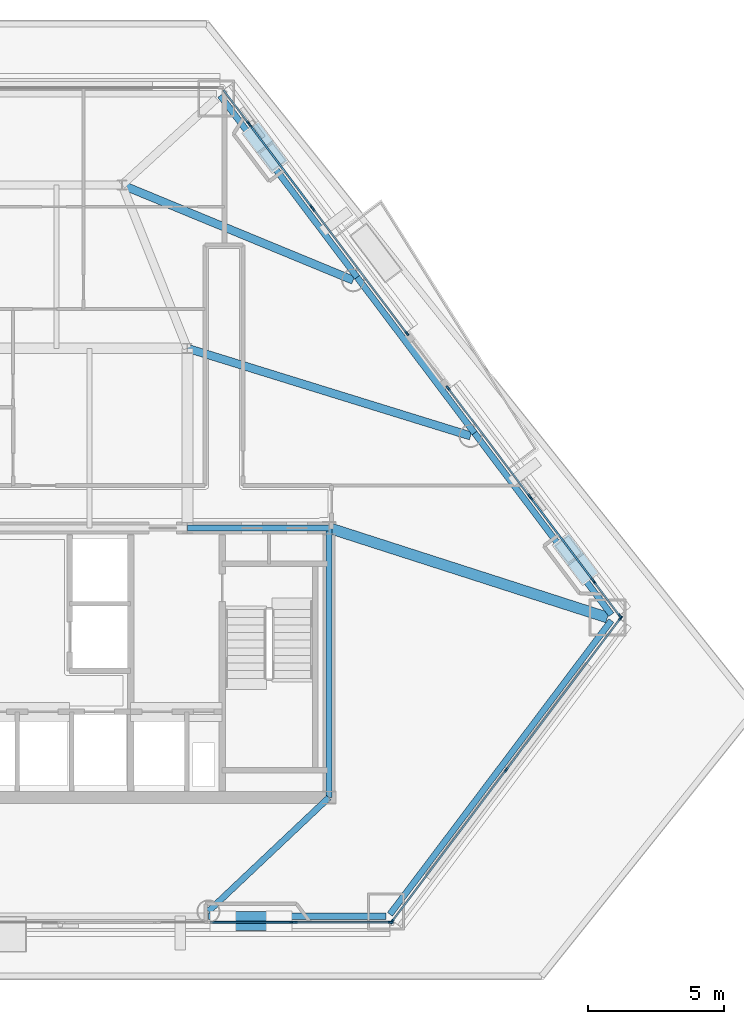
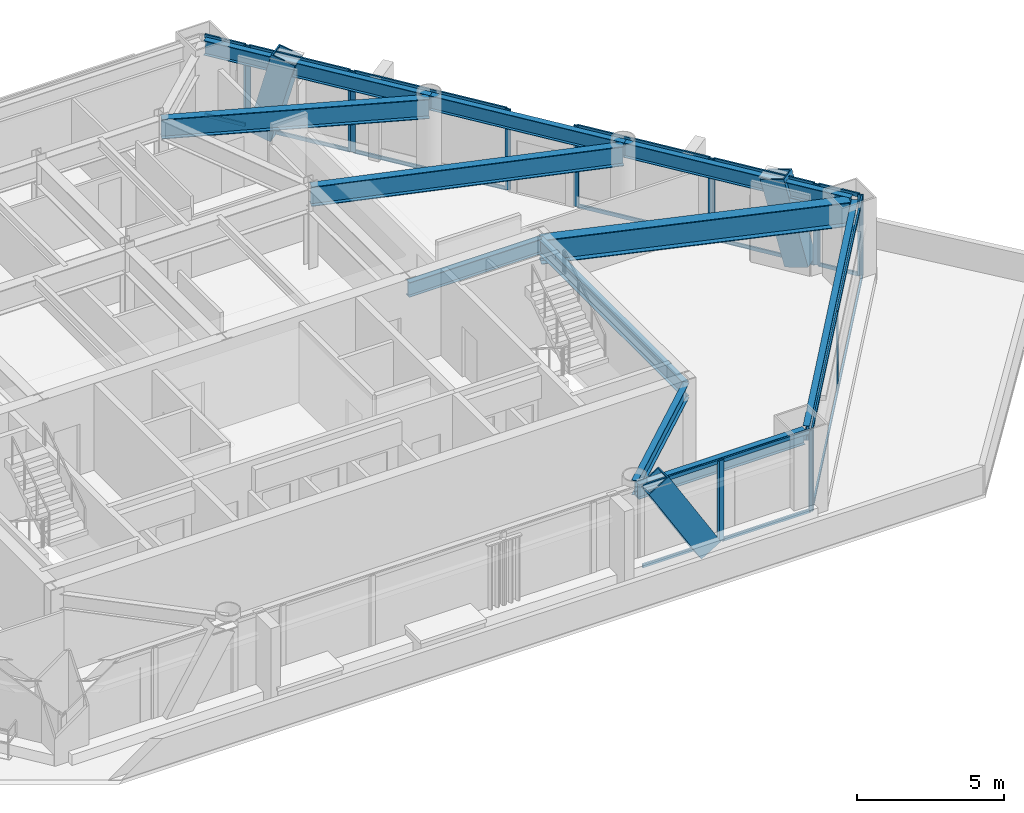
# One storey, part 4 of 13: 40 members, 11 beams, 9 elements without a shape of their own.
"""IFC4 building model written with IfcOpenShell, lengths in metres."""

from ifc_helpers import new_model, si_unit, direction, frame, origin, origin_2d, place, context, subcontext, project, spatial, rectangle, hollow_rectangle, i_section, extrude, material, layer, layer_set, material_profile, profile_set, type_object, element, aggregate, save


model = new_model("IFC4")

# Units and contexts
model_context = context("Model", 3, precision=1e-05, world=origin(), true_north=direction((0.0, 1.0)))
body_context = subcontext(model_context, "Body", "Model", "MODEL_VIEW")
ifc_project = project(units=[si_unit("LENGTHUNIT", "METRE"), si_unit("AREAUNIT", "SQUARE_METRE"), si_unit("VOLUMEUNIT", "CUBIC_METRE"), si_unit("PLANEANGLEUNIT", "RADIAN"), si_unit("MASSUNIT", "GRAM", prefix="KILO")], contexts=[model_context])

# Site, building, storey
site_placement = place(None, origin())
site = spatial("IfcSite", under=ifc_project, at=site_placement, CompositionType="ELEMENT")
building_placement = place(site_placement, origin())
building = spatial("IfcBuilding", under=site, at=building_placement, Name="Talgorran Terracotta Tower", CompositionType="ELEMENT")
storey_placement = place(building_placement, frame((0.0, 0.0, 24.300048828125)))
storey = spatial("IfcBuildingStorey", under=building, at=storey_placement, Name="L05", CompositionType="ELEMENT", Elevation=24.300048828125)

# Beams
ifc_material_1 = material(Name="Steel Grade 350 (350L0)", Category="steel")
ifc_material_profile_1 = material_profile(ifc_material_1, i_section(OverallWidth=0.39990234375, OverallDepth=1.0, WebThickness=0.01611328125, FlangeThickness=0.031005859375, at=origin_2d()), Name="1000WB296")
ifc_profile_set_1 = profile_set([ifc_material_profile_1], Name="Steel Grade 350 (350L0)")
beam_type_1 = type_object("IfcBeamType", Name="BM_1000WB296", PredefinedType="BEAM", material=ifc_profile_set_1)
beam_1_placement = place(storey_placement, frame((12.39990234375, -4.199951171875, 2.849853515625), z_axis=(0.951935828117, -0.306297533694, 0.0), x_axis=(0.306297533694, 0.951935828117, 0.0)))
element("IfcBeam", 1, at=beam_1_placement, inside=storey, type_object=beam_type_1, Name="L05 Floor Girder G18", PredefinedType="BEAM", context=body_context, shape_type="SweptSolid", body=[
    extrude(i_section(OverallWidth=0.39990234375, OverallDepth=1.0, WebThickness=0.01611328125, FlangeThickness=0.031005859375, at=origin_2d()), origin(), (0.0, 0.0, 1.0), 10.742919921875),
])
ifc_material_2 = material(Name="Steel S355 (300PLUS)", Category="steel")
ifc_material_profile_2 = material_profile(ifc_material_2, i_section(OverallWidth=0.300048828125, OverallDepth=0.81591796875, WebThickness=0.013916015625, FlangeThickness=0.028076171875, at=origin_2d()), Name="800WB192")
ifc_profile_set_2 = profile_set([ifc_material_profile_2], Name="Steel S355 (300PLUS)")
beam_type_2 = type_object("IfcBeamType", Name="BM_800WB192", PredefinedType="BEAM", material=ifc_profile_set_2)
beam_2_placement = place(storey_placement, frame((7.199951171875, 2.39990234375, 2.94189453125), z_axis=(0.955282572472, -0.295694448259, 0.0), x_axis=(0.295694448259, 0.955282572472, 0.0)))
element("IfcBeam", 2, at=beam_2_placement, inside=storey, type_object=beam_type_2, Name="L05 Floor Girder G07", PredefinedType="BEAM", context=body_context, shape_type="SweptSolid", body=[
    extrude(i_section(OverallWidth=0.300048828125, OverallDepth=0.81591796875, WebThickness=0.013916015625, FlangeThickness=0.028076171875, at=origin_2d()), origin(), (0.0, 0.0, 1.0), 10.88623046875),
])
beam_3_placement = place(storey_placement, frame((4.800048828125, 8.39990234375, 2.94189453125), z_axis=(0.924495756371, -0.381192335249, 0.0), x_axis=(0.381192335249, 0.924495756371, 0.0)))
element("IfcBeam", 3, at=beam_3_placement, inside=storey, type_object=beam_type_2, Name="L05 Floor Girder G14", PredefinedType="BEAM", context=body_context, shape_type="SweptSolid", body=[
    extrude(i_section(OverallWidth=0.300048828125, OverallDepth=0.81591796875, WebThickness=0.013916015625, FlangeThickness=0.028076171875, at=origin_2d()), origin(), (0.0, 0.0, 1.0), 9.18359375),
])
ifc_material_profile_3 = material_profile(ifc_material_2, i_section(OverallWidth=0.22900390625, OverallDepth=0.611572265625, WebThickness=0.011962890625, FlangeThickness=0.01953125, at=origin_2d()), Name="610UB125")
ifc_profile_set_3 = profile_set([ifc_material_profile_3], Name="Steel S355 (300PLUS)")
beam_type_3 = type_object("IfcBeamType", Name="BM_SP_610UB125", PredefinedType="SPANDREL", material=ifc_profile_set_3)
beam_4_placement = place(storey_placement, frame((7.97265625, -18.4599609375, 3.044189453125), z_axis=(1.0, 0.0, 0.0), x_axis=(0.0, 1.0, 0.0)))
element("IfcBeam", 4, at=beam_4_placement, inside=storey, type_object=beam_type_3, Name="L05 Perimeter Spandrel Beam FC2-MC3", PredefinedType="SPANDREL", context=body_context, shape_type="SweptSolid", body=[
    extrude(i_section(OverallWidth=0.22900390625, OverallDepth=0.611572265625, WebThickness=0.011962890625, FlangeThickness=0.01953125, at=origin_2d()), origin(), (0.0, 0.0, 1.0), 6.523193359375),
])
beam_5_placement = place(storey_placement, frame((14.6396484375, -18.38818359375, 3.044189453125), z_axis=(0.601820005964, 0.798631755205, 0.0), x_axis=(-0.798631755205, 0.601820005964, 0.0)))
element("IfcBeam", 5, at=beam_5_placement, inside=storey, type_object=beam_type_3, Name="L05 Perimeter Spandrel Beam MC3-MC4", PredefinedType="SPANDREL", context=body_context, shape_type="SweptSolid", body=[
    extrude(i_section(OverallWidth=0.22900390625, OverallDepth=0.611572265625, WebThickness=0.011962890625, FlangeThickness=0.01953125, at=origin_2d()), origin(), (0.0, 0.0, 1.0), 13.510009765625),
])
beam_6_placement = place(storey_placement, frame((22.770263671875, -7.382080078125, 3.044189453125), z_axis=(-0.601803503312, 0.798644190739, 0.0), x_axis=(-0.798644190739, -0.601803503312, 0.0)))
element("IfcBeam", 6, at=beam_6_placement, inside=storey, type_object=beam_type_3, Name="L05 Perimeter Spandrel Beam MC4-FC3", PredefinedType="SPANDREL", context=body_context, shape_type="SweptSolid", body=[
    extrude(i_section(OverallWidth=0.22900390625, OverallDepth=0.611572265625, WebThickness=0.011962890625, FlangeThickness=0.01953125, at=origin_2d()), origin(), (0.0, 0.0, 1.0), 8.353271484375),
])
beam_7_placement = place(storey_placement, frame((17.7431640625, -0.710693359375, 3.044189453125), z_axis=(-0.601837001902, 0.798618947397, 0.0), x_axis=(-0.798618947397, -0.601837001902, 0.0)))
element("IfcBeam", 7, at=beam_7_placement, inside=storey, type_object=beam_type_3, Name="L05 Perimeter Spandrel Beam FC3-FC4", PredefinedType="SPANDREL", context=body_context, shape_type="SweptSolid", body=[
    extrude(i_section(OverallWidth=0.22900390625, OverallDepth=0.611572265625, WebThickness=0.011962890625, FlangeThickness=0.01953125, at=origin_2d()), origin(), (0.0, 0.0, 1.0), 7.159912109375),
])
beam_8_placement = place(storey_placement, frame((13.43408203125, 5.00732421875, 3.044189453125), z_axis=(-0.601803503312, 0.798644190739, 0.0), x_axis=(-0.798644190739, -0.601803503312, 0.0)))
element("IfcBeam", 8, at=beam_8_placement, inside=storey, type_object=beam_type_3, Name="L05 Perimeter Spandrel Beam FC4-MC5", PredefinedType="SPANDREL", context=body_context, shape_type="SweptSolid", body=[
    extrude(i_section(OverallWidth=0.22900390625, OverallDepth=0.611572265625, WebThickness=0.011962890625, FlangeThickness=0.01953125, at=origin_2d()), origin(), (0.0, 0.0, 1.0), 8.353271484375),
])
beam_9_placement = place(storey_placement, frame((12.39990234375, -14.10009765625, 3.044189453125), z_axis=(-0.727124342691, -0.686505783126, 0.0), x_axis=(0.686505783126, -0.727124342691, 0.0)))
element("IfcBeam", 9, at=beam_9_placement, inside=storey, type_object=beam_type_3, Name="L05 South-East Core Tie Beam", PredefinedType="SPANDREL", context=body_context, shape_type="SweptSolid", body=[
    extrude(i_section(OverallWidth=0.22900390625, OverallDepth=0.611572265625, WebThickness=0.011962890625, FlangeThickness=0.01953125, at=origin_2d()), origin(), (0.0, 0.0, 1.0), 6.088623046875),
])
beam_10_placement = place(storey_placement, frame((12.39990234375, -14.10009765625, 3.044189453125), z_axis=(0.0, 1.0, 0.0), x_axis=(-1.0, 0.0, 0.0)))
element("IfcBeam", 10, at=beam_10_placement, inside=storey, type_object=beam_type_3, Name="L05 Core Frame Beam CFE", PredefinedType="SPANDREL", context=body_context, shape_type="SweptSolid", body=[
    extrude(i_section(OverallWidth=0.22900390625, OverallDepth=0.611572265625, WebThickness=0.011962890625, FlangeThickness=0.01953125, at=origin_2d()), origin(), (0.0, 0.0, 1.0), 9.900146484375),
])
beam_11_placement = place(storey_placement, frame((7.199951171875, -4.199951171875, 3.044189453125), z_axis=(1.0, 0.0, 0.0), x_axis=(0.0, 1.0, 0.0)))
element("IfcBeam", 11, at=beam_11_placement, inside=storey, type_object=beam_type_3, Name="L05 Core Frame Beam CFN4", PredefinedType="SPANDREL", context=body_context, shape_type="SweptSolid", body=[
    extrude(i_section(OverallWidth=0.22900390625, OverallDepth=0.611572265625, WebThickness=0.011962890625, FlangeThickness=0.01953125, at=origin_2d()), origin(), (0.0, 0.0, 1.0), 5.199951171875),
])

# Members
ifc_material_profile_4 = material_profile(ifc_material_1, hollow_rectangle(XDim=0.699951171875, YDim=0.89990234375, WallThickness=0.050048828125, at=origin_2d()), Name="WBOX900X700X50")
ifc_profile_set_4 = profile_set([ifc_material_profile_4], Name="Steel Grade 350 (350L0)")
member_type_1 = type_object("IfcMemberType", Name="MB_MEGA_900", PredefinedType="BRACE", material=ifc_profile_set_4)
member_1_placement = place(storey_placement, frame((10.56640625, -18.639892578125, -0.025146484375), z_axis=(-0.517195361559, 0.0, 0.855867371724), x_axis=(0.0, -1.0, 0.0)))
element("IfcMember", 12, at=member_1_placement, inside=storey, type_object=member_type_1, Name="L05 Exterior Face Mega-Brace MB-1 (SEF)", PredefinedType="BRACE", context=body_context, shape_type="SweptSolid", body=[
    extrude(hollow_rectangle(XDim=0.699951171875, YDim=0.89990234375, WallThickness=0.050048828125, at=origin_2d()), origin(), (0.0, 0.0, 1.0), 3.97265625),
])
member_2_placement = place(storey_placement, frame((21.73095703125, -5.70361328125, -0.025146484375), z_axis=(-0.153960189271, 0.204285318766, 0.966728384116), x_axis=(-0.79859763006, -0.601865288302, 0.0)))
element("IfcMember", 13, at=member_2_placement, inside=storey, type_object=member_type_1, Name="L05 Exterior Face Mega-Brace MB-1 (NEL)", PredefinedType="BRACE", context=body_context, shape_type="SweptSolid", body=[
    extrude(hollow_rectangle(XDim=0.699951171875, YDim=0.89990234375, WallThickness=0.050048828125, at=origin_2d()), origin(), (0.0, 0.0, 1.0), 3.51708984375),
])
member_3_placement = place(storey_placement, frame((9.7890625, 10.143798828125, -0.025146484375), z_axis=(0.153958005751, -0.204351834505, 0.966714673624), x_axis=(0.79869589423, 0.60173488227, 0.0)))
element("IfcMember", 14, at=member_3_placement, inside=storey, type_object=member_type_1, Name="L05 Exterior Face Mega-Brace MB-1 (NEU)", PredefinedType="BRACE", context=body_context, shape_type="SweptSolid", body=[
    extrude(hollow_rectangle(XDim=0.699951171875, YDim=0.89990234375, WallThickness=0.050048828125, at=origin_2d()), origin(), (0.0, 0.0, 1.0), 3.517333984375),
])

# Curtain wall, member
ifc_material_3 = material(Name="Unitised Low-E Double Glazing", Category="glass")
ifc_layer = layer(ifc_material_3, 0.199951171875, Name="CW_SYS2_RES_LOW")
ifc_layer_set = layer_set([ifc_layer], Name="Unitised Low-E Double Glazing")
curtain_wall_type = type_object("IfcCurtainWallType", Name="CW_SYS2_RES_LOW", PredefinedType="NOTDEFINED", material=ifc_layer_set)
curtain_wall_1_placement = place(storey_placement, origin())
curtain_wall_1 = element("IfcCurtainWall", 15, at=curtain_wall_1_placement, inside=storey, type_object=curtain_wall_type, Name="CW-L05-F1H", PredefinedType="NOTDEFINED")
ifc_material_4 = material(Name="Architectural Aluminium 6063-T6", Category="aluminium")
ifc_material_profile_5 = material_profile(ifc_material_4, rectangle(XDim=0.06494140625, YDim=0.18505859375, at=origin_2d()), Name="CWM65X185")
ifc_profile_set_5 = profile_set([ifc_material_profile_5], Name="Architectural Aluminium 6063-T6")
member_type_2 = type_object("IfcMemberType", Name="MUL_65X185", PredefinedType="MULLION", material=ifc_profile_set_5)
member_4_placement = place(storey_placement, frame((11.06396484375, -18.679931640625, 0.0), z_axis=(0.0, 0.0, 1.0), x_axis=(0.0, 1.0, 0.0)))
member_4 = element("IfcMember", 16, at=member_4_placement, type_object=member_type_2, Name="CW-L05-1H mullion 2", PredefinedType="MULLION", context=body_context, shape_type="SweptSolid", body=[
    extrude(rectangle(XDim=0.06494140625, YDim=0.18505859375, at=origin_2d()), origin(), (0.0, 0.0, 1.0), 3.349853515625),
])

# Curtain wall, members
curtain_wall_2_placement = place(storey_placement, origin())
curtain_wall_2 = element("IfcCurtainWall", 17, at=curtain_wall_2_placement, inside=storey, type_object=curtain_wall_type, Name="CW-L05-F1I", PredefinedType="NOTDEFINED")
member_5_placement = place(storey_placement, frame((11.138916015625, -18.679931640625, 0.0), z_axis=(0.0, 0.0, 1.0), x_axis=(0.0, 1.0, 0.0)))
member_5 = element("IfcMember", 18, at=member_5_placement, type_object=member_type_2, Name="CW-L05-1I mullion 1", PredefinedType="MULLION", context=body_context, shape_type="SweptSolid", body=[
    extrude(rectangle(XDim=0.06494140625, YDim=0.18505859375, at=origin_2d()), origin(), (0.0, 0.0, 1.0), 3.349853515625),
])
member_6_placement = place(storey_placement, frame((14.662841796875, -18.679931640625, 0.0), z_axis=(0.0, 0.0, 1.0), x_axis=(0.0, 1.0, 0.0)))
member_6 = element("IfcMember", 19, at=member_6_placement, type_object=member_type_2, Name="CW-L05-1I mullion 2", PredefinedType="MULLION", context=body_context, shape_type="SweptSolid", body=[
    extrude(rectangle(XDim=0.06494140625, YDim=0.18505859375, at=origin_2d()), origin(), (0.0, 0.0, 1.0), 3.349853515625),
])

curtain_wall_3_placement = place(storey_placement, origin())
curtain_wall_3 = element("IfcCurtainWall", 20, at=curtain_wall_3_placement, inside=storey, type_object=curtain_wall_type, Name="CW-L05-F2", PredefinedType="NOTDEFINED")
member_7_placement = place(storey_placement, frame((14.71484375, -18.654052734375, 0.0), z_axis=(0.0, 0.0, 1.0), x_axis=(-0.79863785641, 0.60181190941, 0.0)))
member_7 = element("IfcMember", 21, at=member_7_placement, type_object=member_type_2, Name="CW-L05-2 mullion 1", PredefinedType="MULLION", context=body_context, shape_type="SweptSolid", body=[
    extrude(rectangle(XDim=0.06494140625, YDim=0.18505859375, at=origin_2d()), origin(), (0.0, 0.0, 1.0), 3.349853515625),
])
member_8_placement = place(storey_placement, frame((18.911376953125, -13.085205078125, 0.0), z_axis=(0.0, 0.0, 1.0), x_axis=(-0.79863785641, 0.60181190941, 0.0)))
member_8 = element("IfcMember", 22, at=member_8_placement, type_object=member_type_2, Name="CW-L05-2 mullion 2", PredefinedType="MULLION", context=body_context, shape_type="SweptSolid", body=[
    extrude(rectangle(XDim=0.06494140625, YDim=0.18505859375, at=origin_2d()), origin(), (0.0, 0.0, 1.0), 3.349853515625),
])
member_9_placement = place(storey_placement, frame((23.107666015625, -7.516357421875, 0.0), z_axis=(0.0, 0.0, 1.0), x_axis=(-0.79863785641, 0.60181190941, 0.0)))
member_9 = element("IfcMember", 23, at=member_9_placement, type_object=member_type_2, Name="CW-L05-2 mullion 3", PredefinedType="MULLION", context=body_context, shape_type="SweptSolid", body=[
    extrude(rectangle(XDim=0.06494140625, YDim=0.18505859375, at=origin_2d()), origin(), (0.0, 0.0, 1.0), 3.349853515625),
])

curtain_wall_4_placement = place(storey_placement, origin())
curtain_wall_4 = element("IfcCurtainWall", 24, at=curtain_wall_4_placement, inside=storey, type_object=curtain_wall_type, Name="CW-L05-F40", PredefinedType="NOTDEFINED")
member_10_placement = place(storey_placement, frame((23.083740234375, -7.4326171875, 0.0), z_axis=(0.0, 0.0, 1.0), x_axis=(-0.798649388029, -0.601796606007, 0.0)))
member_10 = element("IfcMember", 25, at=member_10_placement, type_object=member_type_2, Name="CW-L05-40 mullion 1", PredefinedType="MULLION", context=body_context, shape_type="SweptSolid", body=[
    extrude(rectangle(XDim=0.06494140625, YDim=0.18505859375, at=origin_2d()), origin(), (0.0, 0.0, 1.0), 3.349853515625),
])
member_11_placement = place(storey_placement, frame((22.137451171875, -6.1767578125, 0.0), z_axis=(0.0, 0.0, 1.0), x_axis=(-0.798649388029, -0.601796606007, 0.0)))
member_11 = element("IfcMember", 26, at=member_11_placement, type_object=member_type_2, Name="CW-L05-40 mullion 2", PredefinedType="MULLION", context=body_context, shape_type="SweptSolid", body=[
    extrude(rectangle(XDim=0.06494140625, YDim=0.18505859375, at=origin_2d()), origin(), (0.0, 0.0, 1.0), 3.349853515625),
])

curtain_wall_5_placement = place(storey_placement, origin())
curtain_wall_5 = element("IfcCurtainWall", 27, at=curtain_wall_5_placement, inside=storey, type_object=curtain_wall_type, Name="CW-L05-F40B", PredefinedType="NOTDEFINED")
member_12_placement = place(storey_placement, frame((22.09228515625, -6.116943359375, 0.0), z_axis=(0.0, 0.0, 1.0), x_axis=(-0.798636044714, -0.601814313624, 0.0)))
member_12 = element("IfcMember", 28, at=member_12_placement, type_object=member_type_2, Name="CW-L05-40B mullion 1", PredefinedType="MULLION", context=body_context, shape_type="SweptSolid", body=[
    extrude(rectangle(XDim=0.06494140625, YDim=0.18505859375, at=origin_2d()), origin(), (0.0, 0.0, 1.0), 3.349853515625),
])
member_13_placement = place(storey_placement, frame((19.808837890625, -3.086669921875, 0.0), z_axis=(0.0, 0.0, 1.0), x_axis=(-0.798636044714, -0.601814313624, 0.0)))
member_13 = element("IfcMember", 29, at=member_13_placement, type_object=member_type_2, Name="CW-L05-40B mullion 2", PredefinedType="MULLION", context=body_context, shape_type="SweptSolid", body=[
    extrude(rectangle(XDim=0.06494140625, YDim=0.18505859375, at=origin_2d()), origin(), (0.0, 0.0, 1.0), 3.349853515625),
])

curtain_wall_6_placement = place(storey_placement, origin())
curtain_wall_6 = element("IfcCurtainWall", 30, at=curtain_wall_6_placement, inside=storey, type_object=curtain_wall_type, Name="CW-L05-F40C", PredefinedType="NOTDEFINED")
member_14_placement = place(storey_placement, frame((19.763671875, -3.02685546875, 0.0), z_axis=(0.0, 0.0, 1.0), x_axis=(-0.798648753858, -0.601797447619, 0.0)))
member_14 = element("IfcMember", 31, at=member_14_placement, type_object=member_type_2, Name="CW-L05-40C mullion 1", PredefinedType="MULLION", context=body_context, shape_type="SweptSolid", body=[
    extrude(rectangle(XDim=0.06494140625, YDim=0.18505859375, at=origin_2d()), origin(), (0.0, 0.0, 1.0), 3.349853515625),
])
member_15_placement = place(storey_placement, frame((16.77880859375, 0.9345703125, 0.0), z_axis=(0.0, 0.0, 1.0), x_axis=(-0.798648753858, -0.601797447619, 0.0)))
member_15 = element("IfcMember", 32, at=member_15_placement, type_object=member_type_2, Name="CW-L05-40C mullion 2", PredefinedType="MULLION", context=body_context, shape_type="SweptSolid", body=[
    extrude(rectangle(XDim=0.06494140625, YDim=0.18505859375, at=origin_2d()), origin(), (0.0, 0.0, 1.0), 3.349853515625),
])

curtain_wall_7_placement = place(storey_placement, origin())
curtain_wall_7 = element("IfcCurtainWall", 33, at=curtain_wall_7_placement, inside=storey, type_object=curtain_wall_type, Name="CW-L05-F41", PredefinedType="NOTDEFINED")
member_16_placement = place(storey_placement, frame((15.259033203125, 2.951171875, 0.0), z_axis=(0.0, 0.0, 1.0), x_axis=(-0.798640065911, -0.60180897727, 0.0)))
member_16 = element("IfcMember", 34, at=member_16_placement, type_object=member_type_2, Name="CW-L05-41 mullion 1", PredefinedType="MULLION", context=body_context, shape_type="SweptSolid", body=[
    extrude(rectangle(XDim=0.06494140625, YDim=0.18505859375, at=origin_2d()), origin(), (0.0, 0.0, 1.0), 3.349853515625),
])
member_17_placement = place(storey_placement, frame((11.820068359375, 7.514892578125, 0.0), z_axis=(0.0, 0.0, 1.0), x_axis=(-0.798640065911, -0.60180897727, 0.0)))
member_17 = element("IfcMember", 35, at=member_17_placement, type_object=member_type_2, Name="CW-L05-41 mullion 2", PredefinedType="MULLION", context=body_context, shape_type="SweptSolid", body=[
    extrude(rectangle(XDim=0.06494140625, YDim=0.18505859375, at=origin_2d()), origin(), (0.0, 0.0, 1.0), 3.349853515625),
])

curtain_wall_8_placement = place(storey_placement, origin())
curtain_wall_8 = element("IfcCurtainWall", 36, at=curtain_wall_8_placement, inside=storey, type_object=curtain_wall_type, Name="CW-L05-F41B", PredefinedType="NOTDEFINED")
member_18_placement = place(storey_placement, frame((11.77490234375, 7.574951171875, 0.0), z_axis=(0.0, 0.0, 1.0), x_axis=(-0.798626659876, -0.601826767546, 0.0)))
member_18 = element("IfcMember", 37, at=member_18_placement, type_object=member_type_2, Name="CW-L05-41B mullion 1", PredefinedType="MULLION", context=body_context, shape_type="SweptSolid", body=[
    extrude(rectangle(XDim=0.06494140625, YDim=0.18505859375, at=origin_2d()), origin(), (0.0, 0.0, 1.0), 3.349853515625),
])
member_19_placement = place(storey_placement, frame((9.491455078125, 10.60498046875, 0.0), z_axis=(0.0, 0.0, 1.0), x_axis=(-0.798626659876, -0.601826767546, 0.0)))
member_19 = element("IfcMember", 38, at=member_19_placement, type_object=member_type_2, Name="CW-L05-41B mullion 2", PredefinedType="MULLION", context=body_context, shape_type="SweptSolid", body=[
    extrude(rectangle(XDim=0.06494140625, YDim=0.18505859375, at=origin_2d()), origin(), (0.0, 0.0, 1.0), 3.349853515625),
])

# Curtain wall, member
curtain_wall_9_placement = place(storey_placement, origin())
curtain_wall_9 = element("IfcCurtainWall", 39, at=curtain_wall_9_placement, inside=storey, type_object=curtain_wall_type, Name="CW-L05-F41C", PredefinedType="NOTDEFINED")
member_20_placement = place(storey_placement, frame((9.4462890625, 10.6650390625, 0.0), z_axis=(0.0, 0.0, 1.0), x_axis=(-0.798648355676, -0.601797976048, 0.0)))
member_20 = element("IfcMember", 40, at=member_20_placement, type_object=member_type_2, Name="CW-L05-41C mullion 1", PredefinedType="MULLION", context=body_context, shape_type="SweptSolid", body=[
    extrude(rectangle(XDim=0.06494140625, YDim=0.18505859375, at=origin_2d()), origin(), (0.0, 0.0, 1.0), 3.349853515625),
])

# Member
ifc_material_profile_6 = material_profile(ifc_material_4, rectangle(XDim=0.06494140625, YDim=0.14990234375, at=origin_2d()), Name="CWT65X150")
ifc_profile_set_6 = profile_set([ifc_material_profile_6], Name="Architectural Aluminium 6063-T6")
member_type_3 = type_object("IfcMemberType", Name="TRN_65X150", PredefinedType="USERDEFINED", material=ifc_profile_set_6)
member_21_placement = place(storey_placement, frame((8.046630859375, -18.679931640625, 0.032470703125), z_axis=(1.0, 0.0, 0.0), x_axis=(0.0, 1.0, 0.0)))
member_21 = element("IfcMember", 41, at=member_21_placement, type_object=member_type_3, Name="CW-L05-1H transom 1.1", ObjectType="TRANSOM", PredefinedType="USERDEFINED", context=body_context, shape_type="SweptSolid", body=[
    extrude(rectangle(XDim=0.06494140625, YDim=0.14990234375, at=origin_2d()), origin(), (0.0, 0.0, 1.0), 2.98486328125),
])

member_22_placement = place(storey_placement, frame((8.046630859375, -18.679931640625, 3.3173828125), z_axis=(1.0, 0.0, 0.0), x_axis=(0.0, 1.0, 0.0)))
member_22 = element("IfcMember", 42, at=member_22_placement, type_object=member_type_3, Name="CW-L05-1H transom 1.2", ObjectType="TRANSOM", PredefinedType="USERDEFINED", context=body_context, shape_type="SweptSolid", body=[
    extrude(rectangle(XDim=0.06494140625, YDim=0.14990234375, at=origin_2d()), origin(), (0.0, 0.0, 1.0), 2.98486328125),
])

aggregate(curtain_wall_1, [member_4, member_21, member_22])

member_23_placement = place(storey_placement, frame((11.17138671875, -18.679931640625, 0.032470703125), z_axis=(1.0, 0.0, 0.0), x_axis=(0.0, 1.0, 0.0)))
member_23 = element("IfcMember", 43, at=member_23_placement, type_object=member_type_3, Name="CW-L05-1I transom 1.1", ObjectType="TRANSOM", PredefinedType="USERDEFINED", context=body_context, shape_type="SweptSolid", body=[
    extrude(rectangle(XDim=0.06494140625, YDim=0.14990234375, at=origin_2d()), origin(), (0.0, 0.0, 1.0), 3.458984375),
])

member_24_placement = place(storey_placement, frame((11.17138671875, -18.679931640625, 3.3173828125), z_axis=(1.0, 0.0, 0.0), x_axis=(0.0, 1.0, 0.0)))
member_24 = element("IfcMember", 44, at=member_24_placement, type_object=member_type_3, Name="CW-L05-1I transom 1.2", ObjectType="TRANSOM", PredefinedType="USERDEFINED", context=body_context, shape_type="SweptSolid", body=[
    extrude(rectangle(XDim=0.06494140625, YDim=0.14990234375, at=origin_2d()), origin(), (0.0, 0.0, 1.0), 3.458984375),
])

aggregate(curtain_wall_2, [member_5, member_6, member_23, member_24])

member_25_placement = place(storey_placement, frame((14.734619140625, -18.628173828125, 0.032470703125), z_axis=(0.601796664626, 0.798649343858, 0.0), x_axis=(-0.798649343858, 0.601796664626, 0.0)))
member_25 = element("IfcMember", 45, at=member_25_placement, type_object=member_type_3, Name="CW-L05-2 transom 1.1", ObjectType="TRANSOM", PredefinedType="USERDEFINED", context=body_context, shape_type="SweptSolid", body=[
    extrude(rectangle(XDim=0.06494140625, YDim=0.14990234375, at=origin_2d()), origin(), (0.0, 0.0, 1.0), 6.907958984375),
])

member_26_placement = place(storey_placement, frame((14.734619140625, -18.628173828125, 3.3173828125), z_axis=(0.601796664626, 0.798649343858, 0.0), x_axis=(-0.798649343858, 0.601796664626, 0.0)))
member_26 = element("IfcMember", 46, at=member_26_placement, type_object=member_type_3, Name="CW-L05-2 transom 1.2", ObjectType="TRANSOM", PredefinedType="USERDEFINED", context=body_context, shape_type="SweptSolid", body=[
    extrude(rectangle(XDim=0.06494140625, YDim=0.14990234375, at=origin_2d()), origin(), (0.0, 0.0, 1.0), 6.907958984375),
])

member_27_placement = place(storey_placement, frame((18.930908203125, -13.059326171875, 0.032470703125), z_axis=(0.601796664626, 0.798649343858, 0.0), x_axis=(-0.798649343858, 0.601796664626, 0.0)))
member_27 = element("IfcMember", 47, at=member_27_placement, type_object=member_type_3, Name="CW-L05-2 transom 2.1", ObjectType="TRANSOM", PredefinedType="USERDEFINED", context=body_context, shape_type="SweptSolid", body=[
    extrude(rectangle(XDim=0.06494140625, YDim=0.14990234375, at=origin_2d()), origin(), (0.0, 0.0, 1.0), 6.907958984375),
])

member_28_placement = place(storey_placement, frame((18.930908203125, -13.059326171875, 3.3173828125), z_axis=(0.601796664626, 0.798649343858, 0.0), x_axis=(-0.798649343858, 0.601796664626, 0.0)))
member_28 = element("IfcMember", 48, at=member_28_placement, type_object=member_type_3, Name="CW-L05-2 transom 2.2", ObjectType="TRANSOM", PredefinedType="USERDEFINED", context=body_context, shape_type="SweptSolid", body=[
    extrude(rectangle(XDim=0.06494140625, YDim=0.14990234375, at=origin_2d()), origin(), (0.0, 0.0, 1.0), 6.907958984375),
])

aggregate(curtain_wall_3, [member_7, member_8, member_9, member_25, member_26, member_27, member_28])

member_29_placement = place(storey_placement, frame((23.06396484375, -7.406494140625, 0.032470703125), z_axis=(-0.6018128051, 0.798637181465, 0.0), x_axis=(-0.798637181465, -0.6018128051, 0.0)))
member_29 = element("IfcMember", 49, at=member_29_placement, type_object=member_type_3, Name="CW-L05-40 transom 1.1", ObjectType="TRANSOM", PredefinedType="USERDEFINED", context=body_context, shape_type="SweptSolid", body=[
    extrude(rectangle(XDim=0.06494140625, YDim=0.14990234375, at=origin_2d()), origin(), (0.0, 0.0, 1.0), 1.507080078125),
])

member_30_placement = place(storey_placement, frame((23.06396484375, -7.406494140625, 3.3173828125), z_axis=(-0.6018128051, 0.798637181465, 0.0), x_axis=(-0.798637181465, -0.6018128051, 0.0)))
member_30 = element("IfcMember", 50, at=member_30_placement, type_object=member_type_3, Name="CW-L05-40 transom 1.2", ObjectType="TRANSOM", PredefinedType="USERDEFINED", context=body_context, shape_type="SweptSolid", body=[
    extrude(rectangle(XDim=0.06494140625, YDim=0.14990234375, at=origin_2d()), origin(), (0.0, 0.0, 1.0), 1.507080078125),
])

aggregate(curtain_wall_4, [member_10, member_11, member_29, member_30])

member_31_placement = place(storey_placement, frame((22.07275390625, -6.091064453125, 0.032470703125), z_axis=(-0.601800016393, 0.79864681823, 0.0), x_axis=(-0.79864681823, -0.601800016393, 0.0)))
member_31 = element("IfcMember", 51, at=member_31_placement, type_object=member_type_3, Name="CW-L05-40B transom 1.1", ObjectType="TRANSOM", PredefinedType="USERDEFINED", context=body_context, shape_type="SweptSolid", body=[
    extrude(rectangle(XDim=0.06494140625, YDim=0.14990234375, at=origin_2d()), origin(), (0.0, 0.0, 1.0), 3.7294921875),
])

member_32_placement = place(storey_placement, frame((22.07275390625, -6.091064453125, 3.3173828125), z_axis=(-0.601800016393, 0.79864681823, 0.0), x_axis=(-0.79864681823, -0.601800016393, 0.0)))
member_32 = element("IfcMember", 52, at=member_32_placement, type_object=member_type_3, Name="CW-L05-40B transom 1.2", ObjectType="TRANSOM", PredefinedType="USERDEFINED", context=body_context, shape_type="SweptSolid", body=[
    extrude(rectangle(XDim=0.06494140625, YDim=0.14990234375, at=origin_2d()), origin(), (0.0, 0.0, 1.0), 3.7294921875),
])

aggregate(curtain_wall_5, [member_12, member_13, member_31, member_32])

member_33_placement = place(storey_placement, frame((19.744140625, -3.0009765625, 0.032470703125), z_axis=(-0.601770025014, 0.798669416589, 0.0), x_axis=(-0.798669416589, -0.601770025014, 0.0)))
member_33 = element("IfcMember", 53, at=member_33_placement, type_object=member_type_3, Name="CW-L05-40C transom 1.1", ObjectType="TRANSOM", PredefinedType="USERDEFINED", context=body_context, shape_type="SweptSolid", body=[
    extrude(rectangle(XDim=0.06494140625, YDim=0.14990234375, at=origin_2d()), origin(), (0.0, 0.0, 1.0), 4.895263671875),
])

member_34_placement = place(storey_placement, frame((19.744140625, -3.0009765625, 3.3173828125), z_axis=(-0.601770025014, 0.798669416589, 0.0), x_axis=(-0.798669416589, -0.601770025014, 0.0)))
member_34 = element("IfcMember", 54, at=member_34_placement, type_object=member_type_3, Name="CW-L05-40C transom 1.2", ObjectType="TRANSOM", PredefinedType="USERDEFINED", context=body_context, shape_type="SweptSolid", body=[
    extrude(rectangle(XDim=0.06494140625, YDim=0.14990234375, at=origin_2d()), origin(), (0.0, 0.0, 1.0), 4.895263671875),
])

aggregate(curtain_wall_6, [member_14, member_15, member_33, member_34])

member_35_placement = place(storey_placement, frame((15.239501953125, 2.97705078125, 0.032470703125), z_axis=(-0.601803104879, 0.798644490971, 0.0), x_axis=(-0.798644490971, -0.601803104879, 0.0)))
member_35 = element("IfcMember", 55, at=member_35_placement, type_object=member_type_3, Name="CW-L05-41 transom 1.1", ObjectType="TRANSOM", PredefinedType="USERDEFINED", context=body_context, shape_type="SweptSolid", body=[
    extrude(rectangle(XDim=0.06494140625, YDim=0.14990234375, at=origin_2d()), origin(), (0.0, 0.0, 1.0), 5.6494140625),
])

member_36_placement = place(storey_placement, frame((15.239501953125, 2.97705078125, 3.3173828125), z_axis=(-0.601803104879, 0.798644490971, 0.0), x_axis=(-0.798644490971, -0.601803104879, 0.0)))
member_36 = element("IfcMember", 56, at=member_36_placement, type_object=member_type_3, Name="CW-L05-41 transom 1.2", ObjectType="TRANSOM", PredefinedType="USERDEFINED", context=body_context, shape_type="SweptSolid", body=[
    extrude(rectangle(XDim=0.06494140625, YDim=0.14990234375, at=origin_2d()), origin(), (0.0, 0.0, 1.0), 5.6494140625),
])

aggregate(curtain_wall_7, [member_16, member_17, member_35, member_36])

member_37_placement = place(storey_placement, frame((11.75537109375, 7.600830078125, 0.032470703125), z_axis=(-0.601831480699, 0.79862310813, 0.0), x_axis=(-0.79862310813, -0.601831480699, 0.0)))
member_37 = element("IfcMember", 57, at=member_37_placement, type_object=member_type_3, Name="CW-L05-41B transom 1.1", ObjectType="TRANSOM", PredefinedType="USERDEFINED", context=body_context, shape_type="SweptSolid", body=[
    extrude(rectangle(XDim=0.06494140625, YDim=0.14990234375, at=origin_2d()), origin(), (0.0, 0.0, 1.0), 3.729248046875),
])

member_38_placement = place(storey_placement, frame((11.75537109375, 7.600830078125, 3.3173828125), z_axis=(-0.601831480699, 0.79862310813, 0.0), x_axis=(-0.79862310813, -0.601831480699, 0.0)))
member_38 = element("IfcMember", 58, at=member_38_placement, type_object=member_type_3, Name="CW-L05-41B transom 1.2", ObjectType="TRANSOM", PredefinedType="USERDEFINED", context=body_context, shape_type="SweptSolid", body=[
    extrude(rectangle(XDim=0.06494140625, YDim=0.14990234375, at=origin_2d()), origin(), (0.0, 0.0, 1.0), 3.729248046875),
])

aggregate(curtain_wall_8, [member_18, member_19, member_37, member_38])

member_39_placement = place(storey_placement, frame((9.4267578125, 10.69091796875, 0.032470703125), z_axis=(-0.601798984676, 0.798647595653, 0.0), x_axis=(-0.798647595653, -0.601798984676, 0.0)))
member_39 = element("IfcMember", 59, at=member_39_placement, type_object=member_type_3, Name="CW-L05-41C transom 1.1", ObjectType="TRANSOM", PredefinedType="USERDEFINED", context=body_context, shape_type="SweptSolid", body=[
    extrude(rectangle(XDim=0.06494140625, YDim=0.14990234375, at=origin_2d()), origin(), (0.0, 0.0, 1.0), 1.4970703125),
])

member_40_placement = place(storey_placement, frame((9.4267578125, 10.69091796875, 3.3173828125), z_axis=(-0.601798984676, 0.798647595653, 0.0), x_axis=(-0.798647595653, -0.601798984676, 0.0)))
member_40 = element("IfcMember", 60, at=member_40_placement, type_object=member_type_3, Name="CW-L05-41C transom 1.2", ObjectType="TRANSOM", PredefinedType="USERDEFINED", context=body_context, shape_type="SweptSolid", body=[
    extrude(rectangle(XDim=0.06494140625, YDim=0.14990234375, at=origin_2d()), origin(), (0.0, 0.0, 1.0), 1.4970703125),
])

aggregate(curtain_wall_9, [member_20, member_39, member_40])

save(model, "model.ifc")
